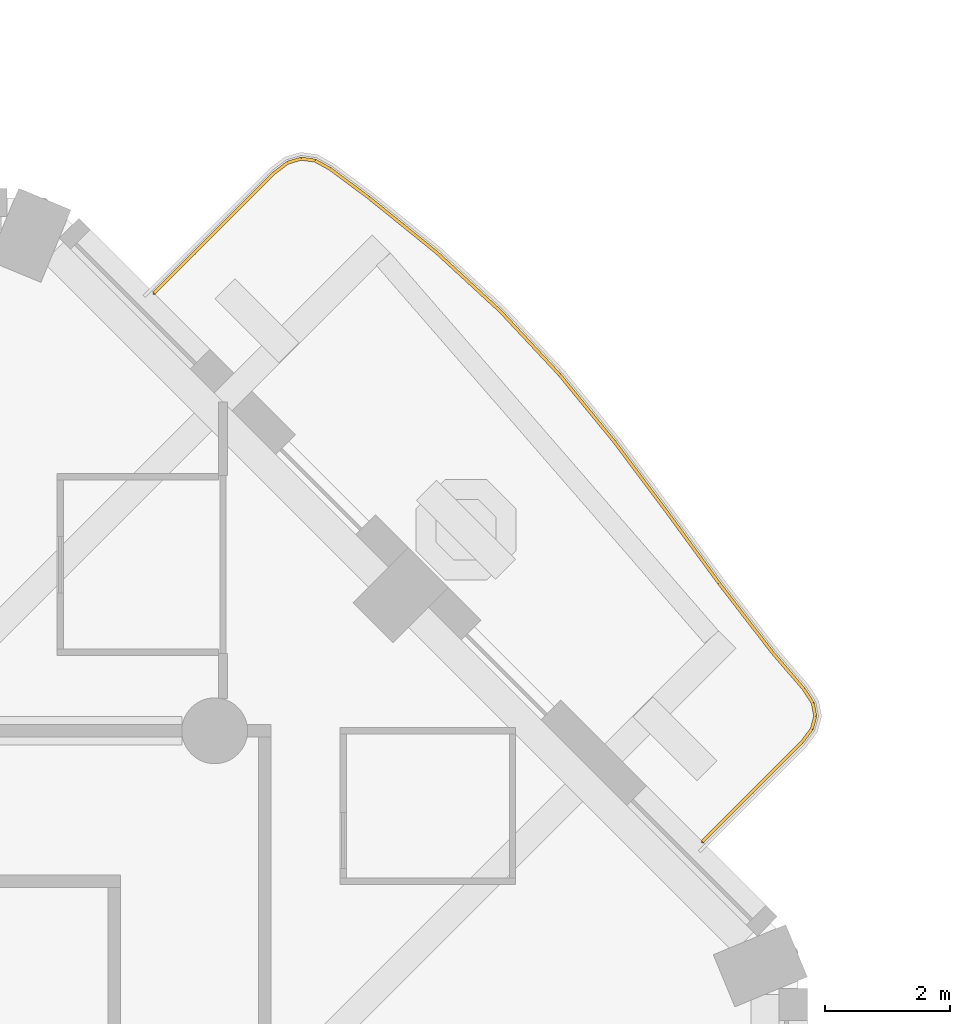
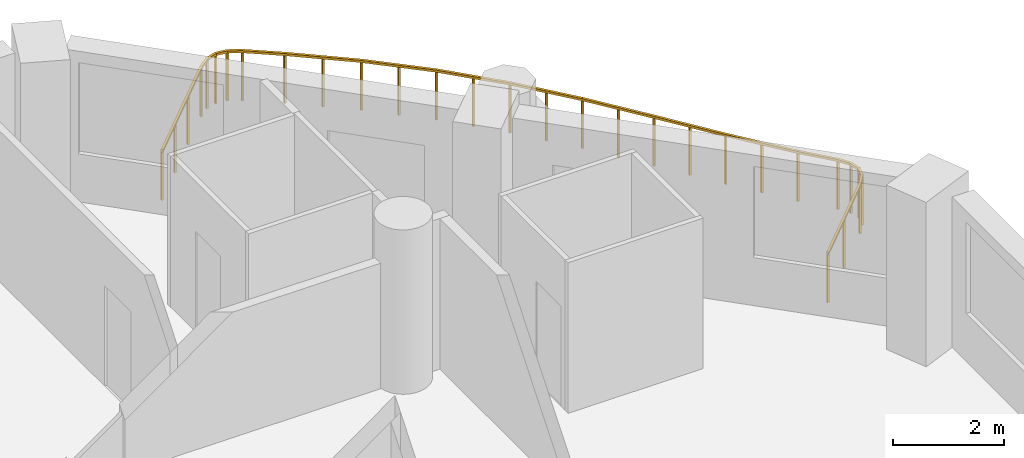
# One storey, part 19 of 20: 1 railing.
"""IFC4 building model written with IfcOpenShell, lengths in metres."""

from ifc_helpers import new_model, si_unit, direction, frame, origin, origin_2d, place, context, subcontext, project, spatial, rectangle, extrude, material, type_object, element, save


model = new_model("IFC4")

# Units and contexts
model_context = context("Model", 3, precision=1e-05, world=origin(), true_north=direction((0.0, 1.0)))
body_context = subcontext(model_context, "Body", "Model", "MODEL_VIEW")
ifc_project = project(units=[si_unit("LENGTHUNIT", "METRE"), si_unit("AREAUNIT", "SQUARE_METRE"), si_unit("VOLUMEUNIT", "CUBIC_METRE"), si_unit("PLANEANGLEUNIT", "RADIAN"), si_unit("MASSUNIT", "GRAM", prefix="KILO")], contexts=[model_context])

# Site, building, storey
site_placement = place(None, origin())
site = spatial("IfcSite", under=ifc_project, at=site_placement, CompositionType="ELEMENT")
building_placement = place(site_placement, origin())
building = spatial("IfcBuilding", under=site, at=building_placement, Name="Cypress Arch Tower", CompositionType="ELEMENT")
storey_placement = place(building_placement, frame((0.0, 0.0, 131.10009765625)))
storey = spatial("IfcBuildingStorey", under=building, at=storey_placement, Name="L28", CompositionType="ELEMENT", Elevation=131.10009765625)

# Railing
ifc_material = material(Name="Powder-coated steel posts and rods, 100 mm clear between rods", Category="steel")
railing_type = type_object("IfcRailingType", Name="Balcony guard GR1100", PredefinedType="GUARDRAIL", material=ifc_material)
railing_placement = place(storey_placement, frame((14.33251953125, 24.479736328125, 0.0)))
element("IfcRailing", 1, at=railing_placement, inside=storey, type_object=railing_type, Name="Balcony guard L28-A07", PredefinedType="GUARDRAIL", context=body_context, shape_type="SweptSolid", body=[
    extrude(rectangle(XDim=0.050048828125, YDim=0.050048828125, at=origin_2d()), frame((0.0, 0.0, 1.0751953125), z_axis=(0.707106781187, 0.707106781187, 0.0), x_axis=(-0.707106781187, 0.707106781187, 0.0)), (0.0, 0.0, 1.0), 2.7099609375),
    extrude(rectangle(XDim=0.050048828125, YDim=0.050048828125, at=origin_2d()), frame((1.916259765625, 1.916259765625, 1.0751953125), z_axis=(0.797079040856, 0.603874989239, 0.0), x_axis=(-0.603874989239, 0.797079040856, 0.0)), (0.0, 0.0, 1.0), 0.271728515625),
    extrude(rectangle(XDim=0.050048828125, YDim=0.050048828125, at=origin_2d()), frame((2.1328125, 2.080322265625, 1.0751953125), z_axis=(0.959608242578, 0.281339689301, 0.0), x_axis=(-0.281339689301, 0.959608242578, 0.0)), (0.0, 0.0, 1.0), 0.223876953125),
    extrude(rectangle(XDim=0.050048828125, YDim=0.050048828125, at=origin_2d()), frame((2.34765625, 2.143310546875, 1.0751953125), z_axis=(0.99023074259, -0.1394384324, 0.0), x_axis=(0.1394384324, 0.99023074259, 0.0)), (0.0, 0.0, 1.0), 0.22412109375),
    extrude(rectangle(XDim=0.050048828125, YDim=0.050048828125, at=origin_2d()), frame((2.569580078125, 2.112060546875, 1.0751953125), z_axis=(0.876481766202, -0.481435056384, 0.0), x_axis=(0.481435056384, 0.876481766202, 0.0)), (0.0, 0.0, 1.0), 0.271240234375),
    extrude(rectangle(XDim=0.050048828125, YDim=0.050048828125, at=origin_2d()), frame((2.807373046875, 1.9814453125, 1.0751953125), z_axis=(0.802250971452, -0.596986916778, 0.0), x_axis=(0.596986916778, 0.802250971452, 0.0)), (0.0, 0.0, 1.0), 0.765869140625),
    extrude(rectangle(XDim=0.050048828125, YDim=0.050048828125, at=origin_2d()), frame((3.421875, 1.524169921875, 1.0751953125), z_axis=(0.777535055697, -0.628839595734, 0.0), x_axis=(0.628839595734, 0.777535055697, 0.0)), (0.0, 0.0, 1.0), 1.390625),
    extrude(rectangle(XDim=0.050048828125, YDim=0.050048828125, at=origin_2d()), frame((4.503173828125, 0.649658203125, 1.0751953125), z_axis=(0.735290457077, -0.677752125582, 0.0), x_axis=(0.677752125582, 0.735290457077, 0.0)), (0.0, 0.0, 1.0), 1.38330078125),
    extrude(rectangle(XDim=0.050048828125, YDim=0.050048828125, at=origin_2d()), frame((5.520263671875, -0.287841796875, 1.0751953125), z_axis=(0.68268927879, -0.730708798787, 0.0), x_axis=(0.730708798787, 0.68268927879, 0.0)), (0.0, 0.0, 1.0), 1.3828125),
    extrude(rectangle(XDim=0.050048828125, YDim=0.050048828125, at=origin_2d()), frame((6.46435546875, -1.29833984375, 1.0751953125), z_axis=(0.632759362933, -0.774348493006, 0.0), x_axis=(0.774348493006, 0.632759362933, 0.0)), (0.0, 0.0, 1.0), 1.389892578125),
    extrude(rectangle(XDim=0.050048828125, YDim=0.050048828125, at=origin_2d()), frame((7.34375, -2.37451171875, 1.0751953125), z_axis=(0.598882292699, -0.800837061762, 0.0), x_axis=(0.800837061762, 0.598882292699, 0.0)), (0.0, 0.0, 1.0), 1.398681640625),
    extrude(rectangle(XDim=0.050048828125, YDim=0.050048828125, at=origin_2d()), frame((8.181396484375, -3.49462890625, 1.0751953125), z_axis=(0.590684204591, -0.806902825901, 0.0), x_axis=(0.806902825901, 0.590684204591, 0.0)), (0.0, 0.0, 1.0), 1.40234375),
    extrude(rectangle(XDim=0.050048828125, YDim=0.050048828125, at=origin_2d()), frame((9.009765625, -4.626220703125, 1.0751953125), z_axis=(0.610140698004, -0.792293082539, 0.0), x_axis=(0.792293082539, 0.610140698004, 0.0)), (0.0, 0.0, 1.0), 1.399169921875),
    extrude(rectangle(XDim=0.050048828125, YDim=0.050048828125, at=origin_2d()), frame((9.863525390625, -5.73486328125, 1.0751953125), z_axis=(0.652267599402, -0.757988772193, 0.0), x_axis=(0.757988772193, 0.652267599402, 0.0)), (0.0, 0.0, 1.0), 0.761962890625),
    extrude(rectangle(XDim=0.050048828125, YDim=0.050048828125, at=origin_2d()), frame((10.360595703125, -6.3125, 1.0751953125), z_axis=(0.540432932882, -0.841387095846, 0.0), x_axis=(0.841387095846, 0.540432932882, 0.0)), (0.0, 0.0, 1.0), 0.26611328125),
    extrude(rectangle(XDim=0.050048828125, YDim=0.050048828125, at=origin_2d()), frame((10.50439453125, -6.536376953125, 1.0751953125), z_axis=(0.189312658018, -0.981916858758, 0.0), x_axis=(0.981916858758, 0.189312658018, 0.0)), (0.0, 0.0, 1.0), 0.214111328125),
    extrude(rectangle(XDim=0.050048828125, YDim=0.050048828125, at=origin_2d()), frame((10.544921875, -6.74658203125, 1.0751953125), z_axis=(-0.262056749615, -0.965052464885, 0.0), x_axis=(0.965052464885, -0.262056749615, 0.0)), (0.0, 0.0, 1.0), 0.21435546875),
    extrude(rectangle(XDim=0.050048828125, YDim=0.050048828125, at=origin_2d()), frame((10.48876953125, -6.953369140625, 1.0751953125), z_axis=(-0.602053812431, -0.798455513437, 0.0), x_axis=(0.798455513437, -0.602053812431, 0.0)), (0.0, 0.0, 1.0), 0.26611328125),
    extrude(rectangle(XDim=0.050048828125, YDim=0.050048828125, at=origin_2d()), frame((10.32861328125, -7.165771484375, 1.0751953125), z_axis=(-0.707052197314, -0.707161360846, 0.0), x_axis=(0.707161360846, -0.707052197314, 0.0)), (0.0, 0.0, 1.0), 2.236572265625),
    extrude(rectangle(XDim=0.0400390625, YDim=0.0400390625, at=origin_2d()), origin(), (0.0, 0.0, 1.0), 1.050048828125),
    extrude(rectangle(XDim=0.0400390625, YDim=0.0400390625, at=origin_2d()), frame((0.638671875, 0.638671875, 0.0)), (0.0, 0.0, 1.0), 1.050048828125),
    extrude(rectangle(XDim=0.0400390625, YDim=0.0400390625, at=origin_2d()), frame((1.277587890625, 1.277587890625, 0.0)), (0.0, 0.0, 1.0), 1.050048828125),
    extrude(rectangle(XDim=0.0400390625, YDim=0.0400390625, at=origin_2d()), frame((1.916259765625, 1.916259765625, 0.0)), (0.0, 0.0, 1.0), 1.050048828125),
    extrude(rectangle(XDim=0.0400390625, YDim=0.0400390625, at=origin_2d()), frame((2.1328125, 2.080322265625, 0.0)), (0.0, 0.0, 1.0), 1.050048828125),
    extrude(rectangle(XDim=0.0400390625, YDim=0.0400390625, at=origin_2d()), frame((2.34765625, 2.143310546875, 0.0)), (0.0, 0.0, 1.0), 1.050048828125),
    extrude(rectangle(XDim=0.0400390625, YDim=0.0400390625, at=origin_2d()), frame((2.569580078125, 2.112060546875, 0.0)), (0.0, 0.0, 1.0), 1.050048828125),
    extrude(rectangle(XDim=0.0400390625, YDim=0.0400390625, at=origin_2d()), frame((2.807373046875, 1.9814453125, 0.0)), (0.0, 0.0, 1.0), 1.050048828125),
    extrude(rectangle(XDim=0.0400390625, YDim=0.0400390625, at=origin_2d()), frame((3.421875, 1.524169921875, 0.0)), (0.0, 0.0, 1.0), 1.050048828125),
    extrude(rectangle(XDim=0.0400390625, YDim=0.0400390625, at=origin_2d()), frame((3.96240234375, 1.0869140625, 0.0)), (0.0, 0.0, 1.0), 1.050048828125),
    extrude(rectangle(XDim=0.0400390625, YDim=0.0400390625, at=origin_2d()), frame((4.503173828125, 0.649658203125, 0.0)), (0.0, 0.0, 1.0), 1.050048828125),
    extrude(rectangle(XDim=0.0400390625, YDim=0.0400390625, at=origin_2d()), frame((5.01171875, 0.180908203125, 0.0)), (0.0, 0.0, 1.0), 1.050048828125),
    extrude(rectangle(XDim=0.0400390625, YDim=0.0400390625, at=origin_2d()), frame((5.520263671875, -0.287841796875, 0.0)), (0.0, 0.0, 1.0), 1.050048828125),
    extrude(rectangle(XDim=0.0400390625, YDim=0.0400390625, at=origin_2d()), frame((5.9921875, -0.79296875, 0.0)), (0.0, 0.0, 1.0), 1.050048828125),
    extrude(rectangle(XDim=0.0400390625, YDim=0.0400390625, at=origin_2d()), frame((6.46435546875, -1.29833984375, 0.0)), (0.0, 0.0, 1.0), 1.050048828125),
    extrude(rectangle(XDim=0.0400390625, YDim=0.0400390625, at=origin_2d()), frame((6.904052734375, -1.83642578125, 0.0)), (0.0, 0.0, 1.0), 1.050048828125),
    extrude(rectangle(XDim=0.0400390625, YDim=0.0400390625, at=origin_2d()), frame((7.34375, -2.37451171875, 0.0)), (0.0, 0.0, 1.0), 1.050048828125),
    extrude(rectangle(XDim=0.0400390625, YDim=0.0400390625, at=origin_2d()), frame((7.7626953125, -2.9345703125, 0.0)), (0.0, 0.0, 1.0), 1.050048828125),
    extrude(rectangle(XDim=0.0400390625, YDim=0.0400390625, at=origin_2d()), frame((8.181396484375, -3.49462890625, 0.0)), (0.0, 0.0, 1.0), 1.050048828125),
    extrude(rectangle(XDim=0.0400390625, YDim=0.0400390625, at=origin_2d()), frame((8.595703125, -4.060546875, 0.0)), (0.0, 0.0, 1.0), 1.050048828125),
    extrude(rectangle(XDim=0.0400390625, YDim=0.0400390625, at=origin_2d()), frame((9.009765625, -4.626220703125, 0.0)), (0.0, 0.0, 1.0), 1.050048828125),
    extrude(rectangle(XDim=0.0400390625, YDim=0.0400390625, at=origin_2d()), frame((9.4365234375, -5.1806640625, 0.0)), (0.0, 0.0, 1.0), 1.050048828125),
    extrude(rectangle(XDim=0.0400390625, YDim=0.0400390625, at=origin_2d()), frame((9.863525390625, -5.73486328125, 0.0)), (0.0, 0.0, 1.0), 1.050048828125),
    extrude(rectangle(XDim=0.0400390625, YDim=0.0400390625, at=origin_2d()), frame((10.360595703125, -6.3125, 0.0)), (0.0, 0.0, 1.0), 1.050048828125),
    extrude(rectangle(XDim=0.0400390625, YDim=0.0400390625, at=origin_2d()), frame((10.50439453125, -6.536376953125, 0.0)), (0.0, 0.0, 1.0), 1.050048828125),
    extrude(rectangle(XDim=0.0400390625, YDim=0.0400390625, at=origin_2d()), frame((10.544921875, -6.74658203125, 0.0)), (0.0, 0.0, 1.0), 1.050048828125),
    extrude(rectangle(XDim=0.0400390625, YDim=0.0400390625, at=origin_2d()), frame((10.48876953125, -6.953369140625, 0.0)), (0.0, 0.0, 1.0), 1.050048828125),
    extrude(rectangle(XDim=0.0400390625, YDim=0.0400390625, at=origin_2d()), frame((10.32861328125, -7.165771484375, 0.0)), (0.0, 0.0, 1.0), 1.050048828125),
    extrude(rectangle(XDim=0.0400390625, YDim=0.0400390625, at=origin_2d()), frame((9.5380859375, -7.95654296875, 0.0)), (0.0, 0.0, 1.0), 1.050048828125),
    extrude(rectangle(XDim=0.0400390625, YDim=0.0400390625, at=origin_2d()), frame((8.747314453125, -8.747314453125, 0.0)), (0.0, 0.0, 1.0), 1.050048828125),
])

save(model, "model.ifc")
